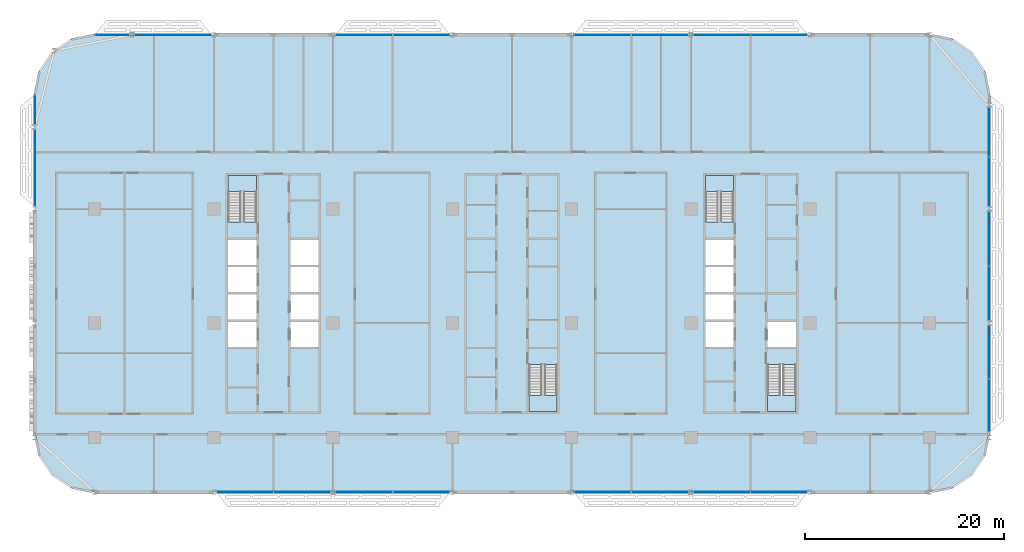
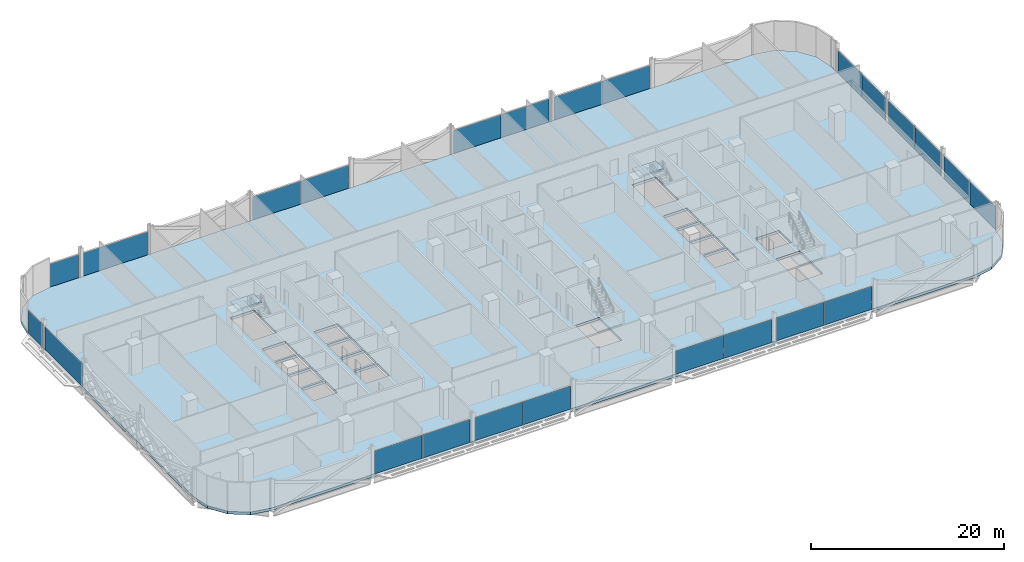
# One storey, part 11 of 28: 24 plates, 5 slabs, 18 elements without a shape of their own.
"""IFC4 building model written with IfcOpenShell, lengths in metres."""

import ifcopenshell
import ifcopenshell.guid

model = None  # the IFC model being written
_history = None  # IfcOwnerHistory: only IFC2X3 demands one
_inside = {}  # id of a spatial element -> (the spatial element, [elements in it])
_under = {}  # id of a project, library or spatial element -> (it, [spatial elements below it])
_declared = {}  # id of a project -> (the project, [libraries it declares])
_typed = {}  # id of a type object -> (the type object, [elements of that type])
_made_of = {}  # id of a material, layer set ... -> (it, [elements and type objects made of it])


def new_model(schema):
    """Start an empty IFC model of exactly this schema.

    Asked for "IFC4X3", IfcOpenShell would pick the latest addendum, in which some entities
    have other attributes; the version numbers below select the first issue.
    IFC2X3 requires an IfcOwnerHistory on every rooted entity: one is made here for all.
    """
    global model, _history
    if schema == "IFC4X3":
        model = ifcopenshell.file(schema_version=(4, 3, 0, 0))
    else:
        model = ifcopenshell.file(schema=schema)
    _inside.clear()
    _under.clear()
    _declared.clear()
    _typed.clear()
    _made_of.clear()
    _history = None
    if model.schema == "IFC2X3":
        org = make("IfcOrganization", Name="unknown")
        user = make(
            "IfcPersonAndOrganization",
            ThePerson=make("IfcPerson", FamilyName="unknown"),
            TheOrganization=org,
        )
        app = make(
            "IfcApplication",
            ApplicationDeveloper=org,
            Version="unknown",
            ApplicationFullName="unknown",
            ApplicationIdentifier="unknown",
        )
        _history = make(
            "IfcOwnerHistory",
            OwningUser=user,
            OwningApplication=app,
            ChangeAction="ADDED",
            CreationDate=0,
        )
    return model


def make(cls, **values):
    """One entity of the class cls with the attributes given. An attribute that is None is left unset."""
    return model.create_entity(
        cls, **{name: value for name, value in values.items() if value is not None}
    )


def rooted(cls, **values):
    """An entity with a GlobalId (a new one), such as an element, a storey or a relation."""
    return make(cls, GlobalId=ifcopenshell.guid.new(), OwnerHistory=_history, **values)


def si_unit(unit_type, name, prefix=None):
    """IfcSIUnit, for example si_unit("LENGTHUNIT", "METRE", prefix="MILLI")."""
    return make("IfcSIUnit", UnitType=unit_type, Prefix=prefix, Name=name)


def assignment(units):
    """IfcUnitAssignment: the units of a project."""
    return None if units is None else make("IfcUnitAssignment", Units=units)


def point(xyz):
    """IfcCartesianPoint."""
    return None if xyz is None else make("IfcCartesianPoint", Coordinates=xyz)


def direction(xyz):
    """IfcDirection."""
    return None if xyz is None else make("IfcDirection", DirectionRatios=xyz)


def frame(location, z_axis=None, x_axis=None):
    """IfcAxis2Placement3D, a coordinate frame: its origin and axes. An axis left out is left unset."""
    return make(
        "IfcAxis2Placement3D",
        Location=point(location),
        Axis=direction(z_axis),
        RefDirection=direction(x_axis),
    )


def frame_2d(location, x_axis=None):
    """IfcAxis2Placement2D, a coordinate frame in the plane: its origin and x axis."""
    return make(
        "IfcAxis2Placement2D", Location=point(location), RefDirection=direction(x_axis)
    )


def origin():
    """The frame at (0, 0, 0) with its axes left unset."""
    return frame((0.0, 0.0, 0.0))


def origin_2d():
    """The frame at (0, 0) in the plane with its x axis left unset."""
    return frame_2d((0.0, 0.0))


def place(relative_to, where):
    """IfcLocalPlacement: puts the frame where relative to a parent placement (None: the world)."""
    return make(
        "IfcLocalPlacement", PlacementRelTo=relative_to, RelativePlacement=where
    )


def context(
    kind, dimensions, precision=None, world=None, true_north=None, identifier=None
):
    """IfcGeometricRepresentationContext, for example the 3D "Model" context."""
    return make(
        "IfcGeometricRepresentationContext",
        ContextIdentifier=identifier,
        ContextType=kind,
        CoordinateSpaceDimension=dimensions,
        Precision=precision,
        WorldCoordinateSystem=world,
        TrueNorth=true_north,
    )


def subcontext(parent, identifier, kind, view, scale=None):
    """IfcGeometricRepresentationSubContext, for example "Body" below "Model"."""
    return make(
        "IfcGeometricRepresentationSubContext",
        ContextIdentifier=identifier,
        ContextType=kind,
        ParentContext=parent,
        TargetScale=scale,
        TargetView=view,
    )


def project(units=None, contexts=None):
    """IfcProject with its units and contexts."""
    return rooted(
        "IfcProject",
        Name="project",
        RepresentationContexts=contexts,
        UnitsInContext=assignment(units),
    )


def spatial(cls, under=None, at=None, **own):
    """A site, building, storey or space (cls), placed at a placement, below another one or the project."""
    s = rooted(cls, ObjectPlacement=at, **own)
    if under is not None:
        _under.setdefault(under.id(), (under, []))[1].append(s)
    return s


def polyline(points):
    """IfcPolyline through the points."""
    return make("IfcPolyline", Points=[point(p) for p in points])


def profile(cls, at=None, kind="AREA", **sizes):
    """A parametric profile (cls). Its sizes go by their IFC names, for example OverallWidth=200.0."""
    return make(cls, ProfileType=kind, Position=at, **sizes)


def rectangle(**sizes):
    """IfcRectangleProfileDef."""
    return profile("IfcRectangleProfileDef", **sizes)


def outline(outer, holes=None, kind="AREA"):
    """IfcArbitraryClosedProfileDef: a profile drawn as a closed curve; with holes, ...WithVoids."""
    if holes is None:
        return make("IfcArbitraryClosedProfileDef", ProfileType=kind, OuterCurve=outer)
    return make(
        "IfcArbitraryProfileDefWithVoids",
        ProfileType=kind,
        OuterCurve=outer,
        InnerCurves=holes,
    )


def extrude(swept, where, along, depth):
    """IfcExtrudedAreaSolid: the profile swept, set in the frame where, extruded along a direction by depth."""
    return make(
        "IfcExtrudedAreaSolid",
        SweptArea=swept,
        Position=where,
        ExtrudedDirection=direction(along),
        Depth=depth,
    )


def shape(context_of_items, identifier, shape_type, items):
    """IfcShapeRepresentation: the items that make up one representation, for example the "Body"."""
    return make(
        "IfcShapeRepresentation",
        ContextOfItems=context_of_items,
        RepresentationIdentifier=identifier,
        RepresentationType=shape_type,
        Items=items,
    )


def material(Name=None, Category=None):
    """IfcMaterial."""
    return make("IfcMaterial", Name=Name, Category=Category)


def layer(
    of_material, thickness, ventilated=None, Name=None, Category=None, Priority=None
):
    """IfcMaterialLayer: one layer of a wall or slab, of a material (None: an air gap)."""
    return make(
        "IfcMaterialLayer",
        Material=of_material,
        LayerThickness=thickness,
        IsVentilated=ventilated,
        Name=Name,
        Category=Category,
        Priority=Priority,
    )


def layer_set(layers, Name=None):
    """IfcMaterialLayerSet."""
    return make("IfcMaterialLayerSet", MaterialLayers=layers, LayerSetName=Name)


def made_of(thing, what):
    """Note that an element or type object is made of a material, layer set ...; save() writes the relation."""
    if what is not None:
        _made_of.setdefault(what.id(), (what, []))[1].append(thing)
    return thing


def type_object(cls, material=None, **own):
    """A type object (cls), such as IfcWallType, which elements share."""
    return made_of(rooted(cls, **own), material)


def element(
    cls,
    number,
    at=None,
    inside=None,
    cuts=None,
    type_object=None,
    material=None,
    context=None,
    identifier="Body",
    shape_type=None,
    held_by="IfcProductDefinitionShape",
    body=None,
    shapes=None,
    **own,
):
    """One element of the class cls, such as IfcWall. Its Tag is "e" and its number.

    at: its placement. inside: the storey or other place that contains it. cuts: it is an
    opening in that element (IfcRelVoidsElement). A single representation is given by context,
    identifier, shape_type and body (its items); several are given by shapes. held_by: the class
    of the entity that holds the representations. save() writes the other relations.
    """
    e = rooted(cls, Tag="e%d" % number, ObjectPlacement=at, **own)
    if body is not None:
        shapes = [shape(context, identifier, shape_type, body)]
    if shapes is not None:
        e.Representation = make(held_by, Representations=shapes)
    if inside is not None:
        _inside.setdefault(inside.id(), (inside, []))[1].append(e)
    if cuts is not None:
        rooted(
            "IfcRelVoidsElement", RelatingBuildingElement=cuts, RelatedOpeningElement=e
        )
    if type_object is not None:
        _typed.setdefault(type_object.id(), (type_object, []))[1].append(e)
    return made_of(e, material)


def aggregate(whole, parts):
    """IfcRelAggregates: a whole, such as a stair, and the parts it consists of."""
    return rooted("IfcRelAggregates", RelatingObject=whole, RelatedObjects=parts)


def save(model, path):
    """Write the relations noted so far, then the file.

    IfcRelAggregates (storeys below a building ...), IfcRelContainedInSpatialStructure (elements
    in a storey), IfcRelDefinesByType, IfcRelAssociatesMaterial and IfcRelDeclares: one each for
    every whole, place, type object, material and project.
    """
    for whole, parts in _under.values():
        aggregate(whole, parts)
    for where, things in _inside.values():
        rooted(
            "IfcRelContainedInSpatialStructure",
            RelatedElements=things,
            RelatingStructure=where,
        )
    for kind, things in _typed.values():
        rooted("IfcRelDefinesByType", RelatedObjects=things, RelatingType=kind)
    for what, things in _made_of.values():
        rooted("IfcRelAssociatesMaterial", RelatedObjects=things, RelatingMaterial=what)
    for by, libraries in _declared.values():
        rooted("IfcRelDeclares", RelatingContext=by, RelatedDefinitions=libraries)
    model.write(path)


model = new_model("IFC4")

# Units and contexts
model_context = context("Model", 3, precision=1e-05, world=origin(), true_north=direction((0.0, 1.0)))
body_context = subcontext(model_context, "Body", "Model", "MODEL_VIEW")
ifc_project = project(units=[si_unit("LENGTHUNIT", "METRE"), si_unit("AREAUNIT", "SQUARE_METRE"), si_unit("VOLUMEUNIT", "CUBIC_METRE"), si_unit("PLANEANGLEUNIT", "RADIAN"), si_unit("MASSUNIT", "GRAM", prefix="KILO")], contexts=[model_context])

# Site, building, storey
site_placement = place(None, origin())
site = spatial("IfcSite", under=ifc_project, at=site_placement, CompositionType="ELEMENT")
building_placement = place(site_placement, origin())
building = spatial("IfcBuilding", under=site, at=building_placement, Name="Mahtab Terrace Research Tower", CompositionType="ELEMENT")
storey_placement = place(building_placement, frame((0.0, 0.0, 130.199951171875)))
storey = spatial("IfcBuildingStorey", under=building, at=storey_placement, Name="L30", CompositionType="ELEMENT", Elevation=130.199951171875)

# Stair, slab
ifc_material_1 = material(Name="Exit stair half-turn")
stair_type = type_object("IfcStairType", Name="Exit stair half-turn", PredefinedType="HALF_TURN_STAIR", material=ifc_material_1)
stair_1_placement = place(storey_placement, origin())
stair_1 = element("IfcStair", 1, at=stair_1_placement, inside=storey, type_object=stair_type, Name="L30 Protected exit stair ST1", PredefinedType="HALF_TURN_STAIR")
ifc_material_2 = material(Name="Concrete C40/50", Category="concrete")
ifc_layer_1 = layer(ifc_material_2, 0.199951171875)
ifc_layer_set_1 = layer_set([ifc_layer_1], Name="Exit stair landing 200")
slab_type_1 = type_object("IfcSlabType", Name="Exit stair landing 200", PredefinedType="LANDING", material=ifc_layer_set_1)
slab_1_placement = place(storey_placement, frame((0.0, 0.0, 1.85009765625)))
slab_1 = element("IfcSlab", 2, at=slab_1_placement, type_object=slab_type_1, Name="ST1 landing 1", PredefinedType="LANDING", context=body_context, shape_type="SweptSolid", body=[
    extrude(outline(polyline([(-25.699951171875, 13.2548828125), (-25.699951171875, 14.875), (-28.550048828125, 14.875), (-28.550048828125, 13.2548828125), (-25.699951171875, 13.2548828125)])), origin(), (0.0, 0.0, 1.0), 0.199951171875),
])
aggregate(stair_1, [slab_1])

stair_2_placement = place(storey_placement, origin())
stair_2 = element("IfcStair", 3, at=stair_2_placement, inside=storey, type_object=stair_type, Name="L30 Protected exit stair ST2", PredefinedType="HALF_TURN_STAIR")
slab_2_placement = place(storey_placement, frame((0.0, 0.0, 1.85009765625)))
slab_2 = element("IfcSlab", 4, at=slab_2_placement, type_object=slab_type_1, Name="ST2 landing 1", PredefinedType="LANDING", context=body_context, shape_type="SweptSolid", body=[
    extrude(outline(polyline([(1.699951171875, -7.2548828125), (1.699951171875, -8.875), (4.550048828125, -8.875), (4.550048828125, -7.2548828125), (1.699951171875, -7.2548828125)])), origin(), (0.0, 0.0, 1.0), 0.199951171875),
])
aggregate(stair_2, [slab_2])

stair_3_placement = place(storey_placement, origin())
stair_3 = element("IfcStair", 5, at=stair_3_placement, inside=storey, type_object=stair_type, Name="L30 Protected exit stair ST3", PredefinedType="HALF_TURN_STAIR")
slab_3_placement = place(storey_placement, frame((0.0, 0.0, 1.85009765625)))
slab_3 = element("IfcSlab", 6, at=slab_3_placement, type_object=slab_type_1, Name="ST3 landing 1", PredefinedType="LANDING", context=body_context, shape_type="SweptSolid", body=[
    extrude(outline(polyline([(22.300048828125, 13.2548828125), (22.300048828125, 14.875), (19.449951171875, 14.875), (19.449951171875, 13.2548828125), (22.300048828125, 13.2548828125)])), origin(), (0.0, 0.0, 1.0), 0.199951171875),
])
aggregate(stair_3, [slab_3])

stair_4_placement = place(storey_placement, origin())
stair_4 = element("IfcStair", 7, at=stair_4_placement, inside=storey, type_object=stair_type, Name="L30 Protected exit stair ST4", PredefinedType="HALF_TURN_STAIR")
slab_4_placement = place(storey_placement, frame((0.0, 0.0, 1.85009765625)))
slab_4 = element("IfcSlab", 8, at=slab_4_placement, type_object=slab_type_1, Name="ST4 landing 1", PredefinedType="LANDING", context=body_context, shape_type="SweptSolid", body=[
    extrude(outline(polyline([(25.699951171875, -7.2548828125), (25.699951171875, -8.875), (28.550048828125, -8.875), (28.550048828125, -7.2548828125), (25.699951171875, -7.2548828125)])), origin(), (0.0, 0.0, 1.0), 0.199951171875),
])
aggregate(stair_4, [slab_4])

# Curtain wall, plates
ifc_material_3 = material(Name="Laboratory ribbon curtain wall")
curtain_wall_type = type_object("IfcCurtainWallType", Name="Laboratory ribbon curtain wall", PredefinedType="NOTDEFINED", material=ifc_material_3)
curtain_wall_1_placement = place(storey_placement, origin())
curtain_wall_1 = element("IfcCurtainWall", 9, at=curtain_wall_1_placement, inside=storey, type_object=curtain_wall_type, Name="EN.L30.3.4", PredefinedType="NOTDEFINED")
ifc_material_4 = material(Name="Dark glazing", Category="glass")
ifc_layer_2 = layer(ifc_material_4, 0.031982421875)
ifc_layer_set_2 = layer_set([ifc_layer_2], Name="Laboratory ribbon curtain wall glazing panel")
plate_type = type_object("IfcPlateType", Name="Laboratory ribbon curtain wall glazing panel", PredefinedType="CURTAIN_PANEL", material=ifc_layer_set_2)
plate_1_placement = place(storey_placement, frame((26.874755859375, 29.0, 0.0), z_axis=(0.0, 0.0, 1.0), x_axis=(-1.0, 0.0, 0.0)))
plate_1 = element("IfcPlate", 10, at=plate_1_placement, type_object=plate_type, Name="CWL-4 panel 1", PredefinedType="CURTAIN_PANEL", context=body_context, shape_type="SweptSolid", body=[
    extrude(rectangle(XDim=5.6845703125, YDim=0.031982421875, at=origin_2d()), origin(), (0.0, 0.0, 1.0), 2.903076171875),
])
plate_2_placement = place(storey_placement, frame((21.125244140625, 29.0, 0.0), z_axis=(0.0, 0.0, 1.0), x_axis=(-1.0, 0.0, 0.0)))
plate_2 = element("IfcPlate", 11, at=plate_2_placement, type_object=plate_type, Name="CWL-4 panel 2", PredefinedType="CURTAIN_PANEL", context=body_context, shape_type="SweptSolid", body=[
    extrude(rectangle(XDim=5.6845703125, YDim=0.031982421875, at=origin_2d()), origin(), (0.0, 0.0, 1.0), 2.903076171875),
])
aggregate(curtain_wall_1, [plate_1, plate_2])

curtain_wall_2_placement = place(storey_placement, origin())
curtain_wall_2 = element("IfcCurtainWall", 12, at=curtain_wall_2_placement, inside=storey, type_object=curtain_wall_type, Name="EN.L30.3.5", PredefinedType="NOTDEFINED")
plate_3_placement = place(storey_placement, frame((14.874755859375, 29.0, 0.0), z_axis=(0.0, 0.0, 1.0), x_axis=(-1.0, 0.0, 0.0)))
plate_3 = element("IfcPlate", 13, at=plate_3_placement, type_object=plate_type, Name="CWL-4 panel 1", PredefinedType="CURTAIN_PANEL", context=body_context, shape_type="SweptSolid", body=[
    extrude(rectangle(XDim=5.6845703125, YDim=0.031982421875, at=origin_2d()), origin(), (0.0, 0.0, 1.0), 2.903076171875),
])
plate_4_placement = place(storey_placement, frame((9.125244140625, 29.0, 0.0), z_axis=(0.0, 0.0, 1.0), x_axis=(-1.0, 0.0, 0.0)))
plate_4 = element("IfcPlate", 14, at=plate_4_placement, type_object=plate_type, Name="CWL-4 panel 2", PredefinedType="CURTAIN_PANEL", context=body_context, shape_type="SweptSolid", body=[
    extrude(rectangle(XDim=5.6845703125, YDim=0.031982421875, at=origin_2d()), origin(), (0.0, 0.0, 1.0), 2.903076171875),
])
aggregate(curtain_wall_2, [plate_3, plate_4])

curtain_wall_3_placement = place(storey_placement, origin())
curtain_wall_3 = element("IfcCurtainWall", 15, at=curtain_wall_3_placement, inside=storey, type_object=curtain_wall_type, Name="EN.L30.3.7", PredefinedType="NOTDEFINED")
plate_5_placement = place(storey_placement, frame((-9.125244140625, 29.0, 0.0), z_axis=(0.0, 0.0, 1.0), x_axis=(-1.0, 0.0, 0.0)))
plate_5 = element("IfcPlate", 16, at=plate_5_placement, type_object=plate_type, Name="CWL-4 panel 1", PredefinedType="CURTAIN_PANEL", context=body_context, shape_type="SweptSolid", body=[
    extrude(rectangle(XDim=5.6845703125, YDim=0.031982421875, at=origin_2d()), origin(), (0.0, 0.0, 1.0), 2.903076171875),
])
plate_6_placement = place(storey_placement, frame((-14.874755859375, 29.0, 0.0), z_axis=(0.0, 0.0, 1.0), x_axis=(-1.0, 0.0, 0.0)))
plate_6 = element("IfcPlate", 17, at=plate_6_placement, type_object=plate_type, Name="CWL-4 panel 2", PredefinedType="CURTAIN_PANEL", context=body_context, shape_type="SweptSolid", body=[
    extrude(rectangle(XDim=5.6845703125, YDim=0.031982421875, at=origin_2d()), origin(), (0.0, 0.0, 1.0), 2.903076171875),
])
aggregate(curtain_wall_3, [plate_5, plate_6])

# Curtain wall, plate
curtain_wall_4_placement = place(storey_placement, origin())
curtain_wall_4 = element("IfcCurtainWall", 18, at=curtain_wall_4_placement, inside=storey, type_object=curtain_wall_type, Name="EN.L30.3.9", PredefinedType="NOTDEFINED")
plate_7_placement = place(storey_placement, frame((-34.115478515625, 29.0, 0.0), z_axis=(0.0, 0.0, 1.0), x_axis=(-1.0, 0.0, 0.0)))
plate_7 = element("IfcPlate", 19, at=plate_7_placement, type_object=plate_type, Name="CWL-4 panel 1", PredefinedType="CURTAIN_PANEL", context=body_context, shape_type="SweptSolid", body=[
    extrude(rectangle(XDim=7.6650390625, YDim=0.031982421875, at=origin_2d()), origin(), (0.0, 0.0, 1.0), 2.903076171875),
])
aggregate(curtain_wall_4, [plate_7])

curtain_wall_5_placement = place(storey_placement, origin())
curtain_wall_5 = element("IfcCurtainWall", 20, at=curtain_wall_5_placement, inside=storey, type_object=curtain_wall_type, Name="EN.L30.3.10", PredefinedType="NOTDEFINED")
plate_8_placement = place(storey_placement, frame((-40.224609375, 29.0, 0.0), z_axis=(0.0, 0.0, 1.0), x_axis=(-1.0, 0.0, 0.0)))
plate_8 = element("IfcPlate", 21, at=plate_8_placement, type_object=plate_type, Name="CWL-4 panel 1", PredefinedType="CURTAIN_PANEL", context=body_context, shape_type="SweptSolid", body=[
    extrude(rectangle(XDim=3.4208984375, YDim=0.031982421875, at=origin_2d()), origin(), (0.0, 0.0, 1.0), 2.903076171875),
])
aggregate(curtain_wall_5, [plate_8])

curtain_wall_6_placement = place(storey_placement, origin())
curtain_wall_6 = element("IfcCurtainWall", 22, at=curtain_wall_6_placement, inside=storey, type_object=curtain_wall_type, Name="EN.L30.8.15", PredefinedType="NOTDEFINED")
plate_9_placement = place(storey_placement, frame((-48.0, 21.474609375, 0.0), z_axis=(0.0, 0.0, 1.0), x_axis=(0.0, -1.0, 0.0)))
plate_9 = element("IfcPlate", 23, at=plate_9_placement, type_object=plate_type, Name="CWL-4 panel 1", PredefinedType="CURTAIN_PANEL", context=body_context, shape_type="SweptSolid", body=[
    extrude(rectangle(XDim=2.9208984375, YDim=0.031982421875, at=origin_2d()), origin(), (0.0, 0.0, 1.0), 2.903076171875),
])
aggregate(curtain_wall_6, [plate_9])

curtain_wall_7_placement = place(storey_placement, origin())
curtain_wall_7 = element("IfcCurtainWall", 24, at=curtain_wall_7_placement, inside=storey, type_object=curtain_wall_type, Name="EN.L30.8.16", PredefinedType="NOTDEFINED")
plate_10_placement = place(storey_placement, frame((-48.0, 15.615478515625, 0.0), z_axis=(0.0, 0.0, 1.0), x_axis=(0.0, -1.0, 0.0)))
plate_10 = element("IfcPlate", 25, at=plate_10_placement, type_object=plate_type, Name="CWL-4 panel 1", PredefinedType="CURTAIN_PANEL", context=body_context, shape_type="SweptSolid", body=[
    extrude(rectangle(XDim=7.6650390625, YDim=0.031982421875, at=origin_2d()), origin(), (0.0, 0.0, 1.0), 2.903076171875),
])
aggregate(curtain_wall_7, [plate_10])

# Curtain wall, plates
curtain_wall_8_placement = place(storey_placement, origin())
curtain_wall_8 = element("IfcCurtainWall", 26, at=curtain_wall_8_placement, inside=storey, type_object=curtain_wall_type, Name="EN.L30.13.25", PredefinedType="NOTDEFINED")
plate_11_placement = place(storey_placement, frame((-26.874755859375, -17.0, 0.0), z_axis=(0.0, 0.0, 1.0), x_axis=(1.0, 0.0, 0.0)))
plate_11 = element("IfcPlate", 27, at=plate_11_placement, type_object=plate_type, Name="CWL-4 panel 1", PredefinedType="CURTAIN_PANEL", context=body_context, shape_type="SweptSolid", body=[
    extrude(rectangle(XDim=5.6845703125, YDim=0.031982421875, at=origin_2d()), origin(), (0.0, 0.0, 1.0), 2.903076171875),
])
plate_12_placement = place(storey_placement, frame((-21.125244140625, -17.0, 0.0), z_axis=(0.0, 0.0, 1.0), x_axis=(1.0, 0.0, 0.0)))
plate_12 = element("IfcPlate", 28, at=plate_12_placement, type_object=plate_type, Name="CWL-4 panel 2", PredefinedType="CURTAIN_PANEL", context=body_context, shape_type="SweptSolid", body=[
    extrude(rectangle(XDim=5.6845703125, YDim=0.031982421875, at=origin_2d()), origin(), (0.0, 0.0, 1.0), 2.903076171875),
])
aggregate(curtain_wall_8, [plate_11, plate_12])

curtain_wall_9_placement = place(storey_placement, origin())
curtain_wall_9 = element("IfcCurtainWall", 29, at=curtain_wall_9_placement, inside=storey, type_object=curtain_wall_type, Name="EN.L30.13.26", PredefinedType="NOTDEFINED")
plate_13_placement = place(storey_placement, frame((-14.874755859375, -17.0, 0.0), z_axis=(0.0, 0.0, 1.0), x_axis=(1.0, 0.0, 0.0)))
plate_13 = element("IfcPlate", 30, at=plate_13_placement, type_object=plate_type, Name="CWL-4 panel 1", PredefinedType="CURTAIN_PANEL", context=body_context, shape_type="SweptSolid", body=[
    extrude(rectangle(XDim=5.6845703125, YDim=0.031982421875, at=origin_2d()), origin(), (0.0, 0.0, 1.0), 2.903076171875),
])
plate_14_placement = place(storey_placement, frame((-9.125244140625, -17.0, 0.0), z_axis=(0.0, 0.0, 1.0), x_axis=(1.0, 0.0, 0.0)))
plate_14 = element("IfcPlate", 31, at=plate_14_placement, type_object=plate_type, Name="CWL-4 panel 2", PredefinedType="CURTAIN_PANEL", context=body_context, shape_type="SweptSolid", body=[
    extrude(rectangle(XDim=5.6845703125, YDim=0.031982421875, at=origin_2d()), origin(), (0.0, 0.0, 1.0), 2.903076171875),
])
aggregate(curtain_wall_9, [plate_13, plate_14])

curtain_wall_10_placement = place(storey_placement, origin())
curtain_wall_10 = element("IfcCurtainWall", 32, at=curtain_wall_10_placement, inside=storey, type_object=curtain_wall_type, Name="EN.L30.13.28", PredefinedType="NOTDEFINED")
plate_15_placement = place(storey_placement, frame((9.125244140625, -17.0, 0.0), z_axis=(0.0, 0.0, 1.0), x_axis=(1.0, 0.0, 0.0)))
plate_15 = element("IfcPlate", 33, at=plate_15_placement, type_object=plate_type, Name="CWL-4 panel 1", PredefinedType="CURTAIN_PANEL", context=body_context, shape_type="SweptSolid", body=[
    extrude(rectangle(XDim=5.6845703125, YDim=0.031982421875, at=origin_2d()), origin(), (0.0, 0.0, 1.0), 2.903076171875),
])
plate_16_placement = place(storey_placement, frame((14.874755859375, -17.0, 0.0), z_axis=(0.0, 0.0, 1.0), x_axis=(1.0, 0.0, 0.0)))
plate_16 = element("IfcPlate", 34, at=plate_16_placement, type_object=plate_type, Name="CWL-4 panel 2", PredefinedType="CURTAIN_PANEL", context=body_context, shape_type="SweptSolid", body=[
    extrude(rectangle(XDim=5.6845703125, YDim=0.031982421875, at=origin_2d()), origin(), (0.0, 0.0, 1.0), 2.903076171875),
])
aggregate(curtain_wall_10, [plate_15, plate_16])

curtain_wall_11_placement = place(storey_placement, origin())
curtain_wall_11 = element("IfcCurtainWall", 35, at=curtain_wall_11_placement, inside=storey, type_object=curtain_wall_type, Name="EN.L30.13.29", PredefinedType="NOTDEFINED")
plate_17_placement = place(storey_placement, frame((21.125244140625, -17.0, 0.0), z_axis=(0.0, 0.0, 1.0), x_axis=(1.0, 0.0, 0.0)))
plate_17 = element("IfcPlate", 36, at=plate_17_placement, type_object=plate_type, Name="CWL-4 panel 1", PredefinedType="CURTAIN_PANEL", context=body_context, shape_type="SweptSolid", body=[
    extrude(rectangle(XDim=5.6845703125, YDim=0.031982421875, at=origin_2d()), origin(), (0.0, 0.0, 1.0), 2.903076171875),
])
plate_18_placement = place(storey_placement, frame((26.874755859375, -17.0, 0.0), z_axis=(0.0, 0.0, 1.0), x_axis=(1.0, 0.0, 0.0)))
plate_18 = element("IfcPlate", 37, at=plate_18_placement, type_object=plate_type, Name="CWL-4 panel 2", PredefinedType="CURTAIN_PANEL", context=body_context, shape_type="SweptSolid", body=[
    extrude(rectangle(XDim=5.6845703125, YDim=0.031982421875, at=origin_2d()), origin(), (0.0, 0.0, 1.0), 2.903076171875),
])
aggregate(curtain_wall_11, [plate_17, plate_18])

curtain_wall_12_placement = place(storey_placement, origin())
curtain_wall_12 = element("IfcCurtainWall", 38, at=curtain_wall_12_placement, inside=storey, type_object=curtain_wall_type, Name="EN.L30.18.36", PredefinedType="NOTDEFINED")
plate_19_placement = place(storey_placement, frame((48.0, -8.288330078125, 0.0), z_axis=(0.0, 0.0, 1.0), x_axis=(0.0, 1.0, 0.0)))
plate_19 = element("IfcPlate", 39, at=plate_19_placement, type_object=plate_type, Name="CWL-4 panel 1", PredefinedType="CURTAIN_PANEL", context=body_context, shape_type="SweptSolid", body=[
    extrude(rectangle(XDim=5.29345703125, YDim=0.031982421875, at=origin_2d()), origin(), (0.0, 0.0, 1.0), 2.903076171875),
])
plate_20_placement = place(storey_placement, frame((48.0, -2.9296875, 0.0), z_axis=(0.0, 0.0, 1.0), x_axis=(0.0, 1.0, 0.0)))
plate_20 = element("IfcPlate", 40, at=plate_20_placement, type_object=plate_type, Name="CWL-4 panel 2", PredefinedType="CURTAIN_PANEL", context=body_context, shape_type="SweptSolid", body=[
    extrude(rectangle(XDim=5.29345703125, YDim=0.031982421875, at=origin_2d()), origin(), (0.0, 0.0, 1.0), 2.903076171875),
])
aggregate(curtain_wall_12, [plate_19, plate_20])

curtain_wall_13_placement = place(storey_placement, origin())
curtain_wall_13 = element("IfcCurtainWall", 41, at=curtain_wall_13_placement, inside=storey, type_object=curtain_wall_type, Name="EN.L30.18.37", PredefinedType="NOTDEFINED")
plate_21_placement = place(storey_placement, frame((48.0, 3.000244140625, 0.0), z_axis=(0.0, 0.0, 1.0), x_axis=(0.0, 1.0, 0.0)))
plate_21 = element("IfcPlate", 42, at=plate_21_placement, type_object=plate_type, Name="CWL-4 panel 1", PredefinedType="CURTAIN_PANEL", context=body_context, shape_type="SweptSolid", body=[
    extrude(rectangle(XDim=5.4345703125, YDim=0.031982421875, at=origin_2d()), origin(), (0.0, 0.0, 1.0), 2.903076171875),
])
plate_22_placement = place(storey_placement, frame((48.0, 8.499755859375, 0.0), z_axis=(0.0, 0.0, 1.0), x_axis=(0.0, 1.0, 0.0)))
plate_22 = element("IfcPlate", 43, at=plate_22_placement, type_object=plate_type, Name="CWL-4 panel 2", PredefinedType="CURTAIN_PANEL", context=body_context, shape_type="SweptSolid", body=[
    extrude(rectangle(XDim=5.4345703125, YDim=0.031982421875, at=origin_2d()), origin(), (0.0, 0.0, 1.0), 2.903076171875),
])
aggregate(curtain_wall_13, [plate_21, plate_22])

curtain_wall_14_placement = place(storey_placement, origin())
curtain_wall_14 = element("IfcCurtainWall", 44, at=curtain_wall_14_placement, inside=storey, type_object=curtain_wall_type, Name="EN.L30.18.38", PredefinedType="NOTDEFINED")
plate_23_placement = place(storey_placement, frame((48.0, 14.24072265625, 0.0), z_axis=(0.0, 0.0, 1.0), x_axis=(0.0, 1.0, 0.0)))
plate_23 = element("IfcPlate", 45, at=plate_23_placement, type_object=plate_type, Name="CWL-4 panel 1", PredefinedType="CURTAIN_PANEL", context=body_context, shape_type="SweptSolid", body=[
    extrude(rectangle(XDim=4.91552734375, YDim=0.031982421875, at=origin_2d()), origin(), (0.0, 0.0, 1.0), 2.903076171875),
])
plate_24_placement = place(storey_placement, frame((48.0, 19.22119140625, 0.0), z_axis=(0.0, 0.0, 1.0), x_axis=(0.0, 1.0, 0.0)))
plate_24 = element("IfcPlate", 46, at=plate_24_placement, type_object=plate_type, Name="CWL-4 panel 2", PredefinedType="CURTAIN_PANEL", context=body_context, shape_type="SweptSolid", body=[
    extrude(rectangle(XDim=4.91552734375, YDim=0.031982421875, at=origin_2d()), origin(), (0.0, 0.0, 1.0), 2.903076171875),
])
aggregate(curtain_wall_14, [plate_23, plate_24])

# Slab
ifc_layer_3 = layer(ifc_material_2, 0.340087890625)
ifc_layer_set_3 = layer_set([ifc_layer_3], Name="PT flat slab 340")
slab_type_2 = type_object("IfcSlabType", Name="PT flat slab 340", PredefinedType="FLOOR", material=ifc_layer_set_3)
slab_5_placement = place(storey_placement, frame((0.0, 0.0, -0.33984375)))
element("IfcSlab", 47, at=slab_5_placement, inside=storey, type_object=slab_type_2, Name="Floor slab L30", PredefinedType="FLOOR", context=body_context, shape_type="SweptSolid", body=[
    extrude(outline(polyline([(47.54296875, 25.2958984375), (46.242919921875, 27.242919921875), (44.2958984375, 28.54296875), (42.0, 29.0), (-42.0, 29.0), (-44.2958984375, 28.54296875), (-46.242919921875, 27.242919921875), (-47.54296875, 25.2958984375), (-48.0, 23.0), (-48.0, -11.0), (-47.54296875, -13.2958984375), (-46.242919921875, -15.242919921875), (-44.2958984375, -16.54296875), (-42.0, -17.0), (42.0, -17.0), (44.2958984375, -16.54296875), (46.242919921875, -15.242919921875), (47.54296875, -13.2958984375), (48.0, -11.0), (48.0, 23.0), (47.54296875, 25.2958984375)]), holes=[polyline([(-28.550048828125, -2.375), (-28.550048828125, 0.125), (-25.699951171875, 0.125), (-25.699951171875, -2.375), (-28.550048828125, -2.375)]), polyline([(-22.300048828125, -2.375), (-22.300048828125, 0.125), (-19.449951171875, 0.125), (-19.449951171875, -2.375), (-22.300048828125, -2.375)]), polyline([(-28.550048828125, 0.375), (-28.550048828125, 2.875), (-25.699951171875, 2.875), (-25.699951171875, 0.375), (-28.550048828125, 0.375)]), polyline([(-22.300048828125, 0.375), (-22.300048828125, 2.875), (-19.449951171875, 2.875), (-19.449951171875, 0.375), (-22.300048828125, 0.375)]), polyline([(-28.550048828125, 3.125), (-28.550048828125, 5.625), (-25.699951171875, 5.625), (-25.699951171875, 3.125), (-28.550048828125, 3.125)]), polyline([(-22.300048828125, 3.125), (-22.300048828125, 5.625), (-19.449951171875, 5.625), (-19.449951171875, 3.125), (-22.300048828125, 3.125)]), polyline([(-28.550048828125, 5.875), (-28.550048828125, 8.375), (-25.699951171875, 8.375), (-25.699951171875, 5.875), (-28.550048828125, 5.875)]), polyline([(-22.300048828125, 5.875), (-22.300048828125, 8.375), (-19.449951171875, 8.375), (-19.449951171875, 5.875), (-22.300048828125, 5.875)]), polyline([(-28.550048828125, 10.177001953125), (-28.550048828125, 14.875), (-25.699951171875, 14.875), (-25.699951171875, 10.177001953125), (-28.550048828125, 10.177001953125)]), polyline([(1.699951171875, -8.875), (1.699951171875, -4.177001953125), (4.550048828125, -4.177001953125), (4.550048828125, -8.875), (1.699951171875, -8.875)]), polyline([(25.699951171875, -8.875), (25.699951171875, -4.177001953125), (28.550048828125, -4.177001953125), (28.550048828125, -8.875), (25.699951171875, -8.875)]), polyline([(19.449951171875, -2.375), (19.449951171875, 0.125), (22.300048828125, 0.125), (22.300048828125, -2.375), (19.449951171875, -2.375)]), polyline([(25.699951171875, -2.375), (25.699951171875, 0.125), (28.550048828125, 0.125), (28.550048828125, -2.375), (25.699951171875, -2.375)]), polyline([(19.449951171875, 0.375), (19.449951171875, 2.875), (22.300048828125, 2.875), (22.300048828125, 0.375), (19.449951171875, 0.375)]), polyline([(19.449951171875, 3.125), (19.449951171875, 5.625), (22.300048828125, 5.625), (22.300048828125, 3.125), (19.449951171875, 3.125)]), polyline([(19.449951171875, 8.375), (22.300048828125, 8.375), (22.300048828125, 5.875), (19.449951171875, 5.875), (19.449951171875, 8.375)]), polyline([(19.449951171875, 14.875), (22.300048828125, 14.875), (22.300048828125, 10.177001953125), (19.449951171875, 10.177001953125), (19.449951171875, 14.875)])]), origin(), (0.0, 0.0, 1.0), 0.33984375),
])

save(model, "model.ifc")
